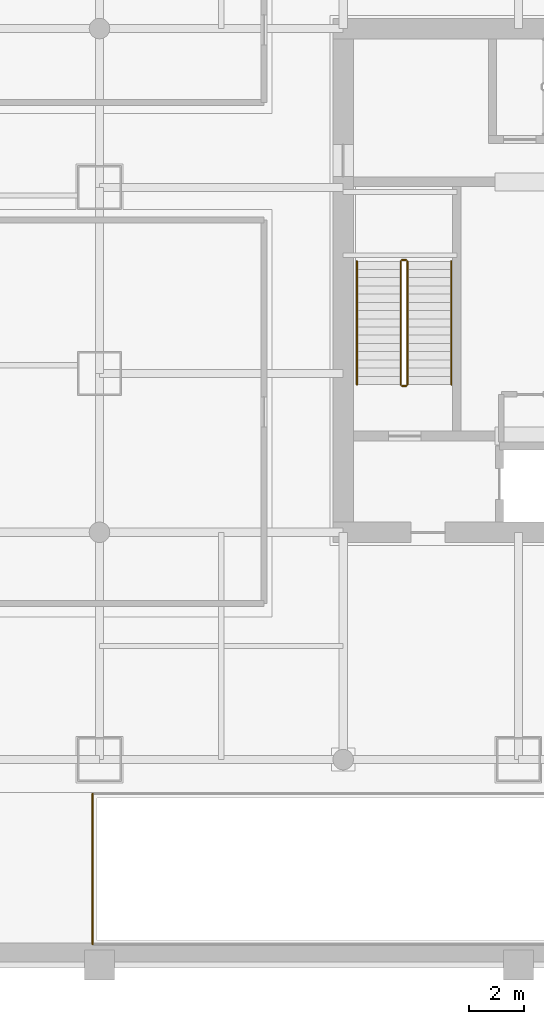
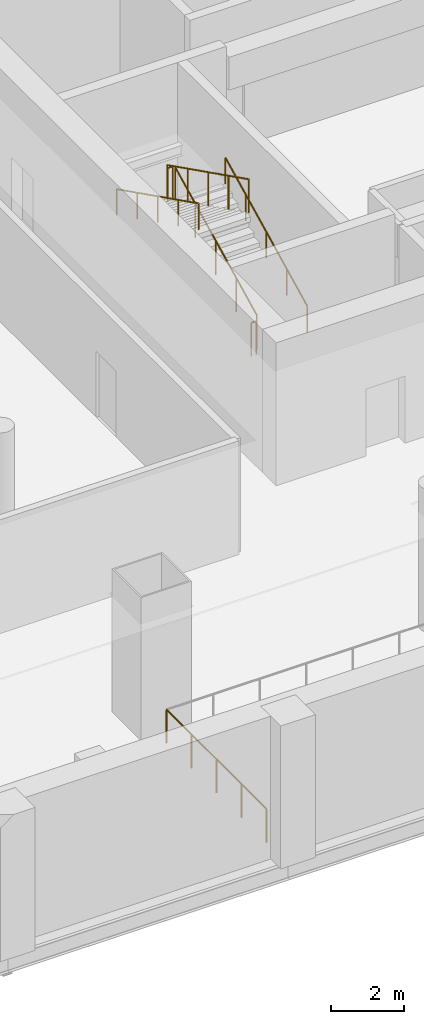
# One storey, part 6 of 12: 7 railings.
"""IFC4 building model written with IfcOpenShell, lengths in metres."""

from ifc_helpers import new_model, si_unit, direction, frame, origin, origin_2d, place, context, subcontext, project, spatial, circle, extrude, material, type_object, element, save


model = new_model("IFC4")

# Units and contexts
model_context = context("Model", 3, precision=1e-05, world=origin(), true_north=direction((0.0, 1.0)))
body_context = subcontext(model_context, "Body", "Model", "MODEL_VIEW")
ifc_project = project(units=[si_unit("LENGTHUNIT", "METRE"), si_unit("AREAUNIT", "SQUARE_METRE"), si_unit("VOLUMEUNIT", "CUBIC_METRE"), si_unit("PLANEANGLEUNIT", "RADIAN"), si_unit("MASSUNIT", "GRAM", prefix="KILO")], contexts=[model_context])

# Site, building, storey
site_placement = place(None, origin())
site = spatial("IfcSite", under=ifc_project, at=site_placement, CompositionType="ELEMENT")
building_placement = place(site_placement, origin())
building = spatial("IfcBuilding", under=site, at=building_placement, Name="Punatoya Terracotta Tower", CompositionType="ELEMENT")
storey_placement = place(building_placement, frame((0.0, 0.0, -4.800048828125)))
storey = spatial("IfcBuildingStorey", under=building, at=storey_placement, Name="B1", CompositionType="ELEMENT", Elevation=-4.800048828125)

# Railings
ifc_material = material(Name="Steel S355", Category="steel")
railing_type_1 = type_object("IfcRailingType", Name="RLG-GRD-1150", PredefinedType="GUARDRAIL", material=ifc_material)
railing_1_placement = place(storey_placement, frame((-7.85009765625, -3.800048828125, 0.150146484375)))
element("IfcRailing", 1, at=railing_1_placement, inside=storey, type_object=railing_type_1, Name="B1 ST-1 stair guard 1", PredefinedType="GUARDRAIL", context=body_context, shape_type="SweptSolid", body=[
    extrude(circle(Radius=0.02392578125, at=origin_2d()), frame((0.0, 0.0, 1.1259765625), z_axis=(0.0, 0.894427191, 0.4472135955), x_axis=(-1.0, 0.0, 0.0)), (0.0, 0.0, 1.0), 5.03125),
    extrude(circle(Radius=0.02099609375, at=origin_2d()), origin(), (0.0, 0.0, 1.0), 1.101806640625),
    extrude(circle(Radius=0.02099609375, at=origin_2d()), frame((0.0, 1.125, 0.5625)), (0.0, 0.0, 1.0), 1.101806640625),
    extrude(circle(Radius=0.02099609375, at=origin_2d()), frame((0.0, 2.25, 1.125)), (0.0, 0.0, 1.0), 1.101806640625),
    extrude(circle(Radius=0.02099609375, at=origin_2d()), frame((0.0, 3.375, 1.6875)), (0.0, 0.0, 1.0), 1.101806640625),
    extrude(circle(Radius=0.02099609375, at=origin_2d()), frame((0.0, 4.5, 2.25)), (0.0, 0.0, 1.0), 1.101806640625),
])
railing_2_placement = place(storey_placement, frame((-7.89990234375, 0.75, 2.400146484375)))
element("IfcRailing", 2, at=railing_2_placement, inside=storey, type_object=railing_type_1, Name="B1 ST-1 stair guard 2", PredefinedType="GUARDRAIL", context=body_context, shape_type="SweptSolid", body=[
    extrude(circle(Radius=0.02392578125, at=origin_2d()), frame((0.0, 0.0, 1.1259765625), z_axis=(-1.0, 0.0, 0.0), x_axis=(0.0, -1.0, 0.0)), (0.0, 0.0, 1.0), 0.150146484375),
    extrude(circle(Radius=0.02099609375, at=origin_2d()), origin(), (0.0, 0.0, 1.0), 1.101806640625),
    extrude(circle(Radius=0.02099609375, at=origin_2d()), frame((-0.150146484375, 0.0, 0.0)), (0.0, 0.0, 1.0), 1.101806640625),
])
railing_3_placement = place(storey_placement, frame((-8.10009765625, 0.699951171875, 2.550048828125)))
element("IfcRailing", 3, at=railing_3_placement, inside=storey, type_object=railing_type_1, Name="B1 ST-1 stair guard 3", PredefinedType="GUARDRAIL", context=body_context, shape_type="SweptSolid", body=[
    extrude(circle(Radius=0.02392578125, at=origin_2d()), frame((0.0, 0.0, 1.1259765625), z_axis=(0.0, -0.894427191, 0.4472135955), x_axis=(1.0, 0.0, 0.0)), (0.0, 0.0, 1.0), 5.03125),
    extrude(circle(Radius=0.02099609375, at=origin_2d()), origin(), (0.0, 0.0, 1.0), 1.101806640625),
    extrude(circle(Radius=0.02099609375, at=origin_2d()), frame((0.0, -1.125, 0.5625)), (0.0, 0.0, 1.0), 1.101806640625),
    extrude(circle(Radius=0.02099609375, at=origin_2d()), frame((0.0, -2.25, 1.125)), (0.0, 0.0, 1.0), 1.101806640625),
    extrude(circle(Radius=0.02099609375, at=origin_2d()), frame((0.0, -3.375, 1.6875)), (0.0, 0.0, 1.0), 1.101806640625),
    extrude(circle(Radius=0.02099609375, at=origin_2d()), frame((0.0, -4.5, 2.25)), (0.0, 0.0, 1.0), 1.101806640625),
])
railing_4_placement = place(storey_placement, frame((-7.89990234375, -3.85009765625, 0.0)))
element("IfcRailing", 4, at=railing_4_placement, inside=storey, type_object=railing_type_1, Name="B1 ST-1 stair guard 4", PredefinedType="GUARDRAIL", context=body_context, shape_type="SweptSolid", body=[
    extrude(circle(Radius=0.02392578125, at=origin_2d()), frame((0.0, 0.0, 1.1259765625), z_axis=(-1.0, 0.0, 0.0), x_axis=(0.0, -1.0, 0.0)), (0.0, 0.0, 1.0), 0.150146484375),
    extrude(circle(Radius=0.02099609375, at=origin_2d()), origin(), (0.0, 0.0, 1.0), 1.101806640625),
    extrude(circle(Radius=0.02099609375, at=origin_2d()), frame((-0.150146484375, 0.0, 0.0)), (0.0, 0.0, 1.0), 1.101806640625),
])
railing_5_placement = place(storey_placement, frame((-19.35009765625, -24.25, 0.0)))
element("IfcRailing", 5, at=railing_5_placement, inside=storey, type_object=railing_type_1, Name="B1 VR-1 Well West Head Guard", PredefinedType="GUARDRAIL", context=body_context, shape_type="SweptSolid", body=[
    extrude(circle(Radius=0.02392578125, at=origin_2d()), frame((0.0, 0.0, 1.1259765625), z_axis=(0.0, 1.0, 0.0), x_axis=(-1.0, 0.0, 0.0)), (0.0, 0.0, 1.0), 5.5),
    extrude(circle(Radius=0.02099609375, at=origin_2d()), origin(), (0.0, 0.0, 1.0), 1.101806640625),
    extrude(circle(Radius=0.02099609375, at=origin_2d()), frame((0.0, 1.375, 0.0)), (0.0, 0.0, 1.0), 1.101806640625),
    extrude(circle(Radius=0.02099609375, at=origin_2d()), frame((0.0, 2.75, 0.0)), (0.0, 0.0, 1.0), 1.101806640625),
    extrude(circle(Radius=0.02099609375, at=origin_2d()), frame((0.0, 4.125, 0.0)), (0.0, 0.0, 1.0), 1.101806640625),
    extrude(circle(Radius=0.02099609375, at=origin_2d()), frame((0.0, 5.5, 0.0)), (0.0, 0.0, 1.0), 1.101806640625),
])
railing_type_2 = type_object("IfcRailingType", Name="RLG-HND-900", PredefinedType="HANDRAIL", material=ifc_material)
railing_6_placement = place(storey_placement, frame((-6.25, -3.800048828125, 0.150146484375)))
element("IfcRailing", 6, at=railing_6_placement, inside=storey, type_object=railing_type_2, Name="B1 ST-1 stair handrail 1", PredefinedType="HANDRAIL", context=body_context, shape_type="SweptSolid", body=[
    extrude(circle(Radius=0.02392578125, at=origin_2d()), frame((0.0, 0.0, 0.8759765625), z_axis=(0.0, 0.894427191, 0.4472135955), x_axis=(-1.0, 0.0, 0.0)), (0.0, 0.0, 1.0), 5.03125),
    extrude(circle(Radius=0.02099609375, at=origin_2d()), origin(), (0.0, 0.0, 1.0), 0.851806640625),
    extrude(circle(Radius=0.02099609375, at=origin_2d()), frame((0.0, 1.125, 0.5625)), (0.0, 0.0, 1.0), 0.851806640625),
    extrude(circle(Radius=0.02099609375, at=origin_2d()), frame((0.0, 2.25, 1.125)), (0.0, 0.0, 1.0), 0.851806640625),
    extrude(circle(Radius=0.02099609375, at=origin_2d()), frame((0.0, 3.375, 1.6875)), (0.0, 0.0, 1.0), 0.851806640625),
    extrude(circle(Radius=0.02099609375, at=origin_2d()), frame((0.0, 4.5, 2.25)), (0.0, 0.0, 1.0), 0.851806640625),
])
railing_7_placement = place(storey_placement, frame((-9.699951171875, 0.699951171875, 2.550048828125)))
element("IfcRailing", 7, at=railing_7_placement, inside=storey, type_object=railing_type_2, Name="B1 ST-1 stair handrail 2", PredefinedType="HANDRAIL", context=body_context, shape_type="SweptSolid", body=[
    extrude(circle(Radius=0.02392578125, at=origin_2d()), frame((0.0, 0.0, 0.8759765625), z_axis=(0.0, -0.894427191, 0.4472135955), x_axis=(1.0, 0.0, 0.0)), (0.0, 0.0, 1.0), 5.03125),
    extrude(circle(Radius=0.02099609375, at=origin_2d()), origin(), (0.0, 0.0, 1.0), 0.851806640625),
    extrude(circle(Radius=0.02099609375, at=origin_2d()), frame((0.0, -1.125, 0.5625)), (0.0, 0.0, 1.0), 0.851806640625),
    extrude(circle(Radius=0.02099609375, at=origin_2d()), frame((0.0, -2.25, 1.125)), (0.0, 0.0, 1.0), 0.851806640625),
    extrude(circle(Radius=0.02099609375, at=origin_2d()), frame((0.0, -3.375, 1.6875)), (0.0, 0.0, 1.0), 0.851806640625),
    extrude(circle(Radius=0.02099609375, at=origin_2d()), frame((0.0, -4.5, 2.25)), (0.0, 0.0, 1.0), 0.851806640625),
])

save(model, "model.ifc")
